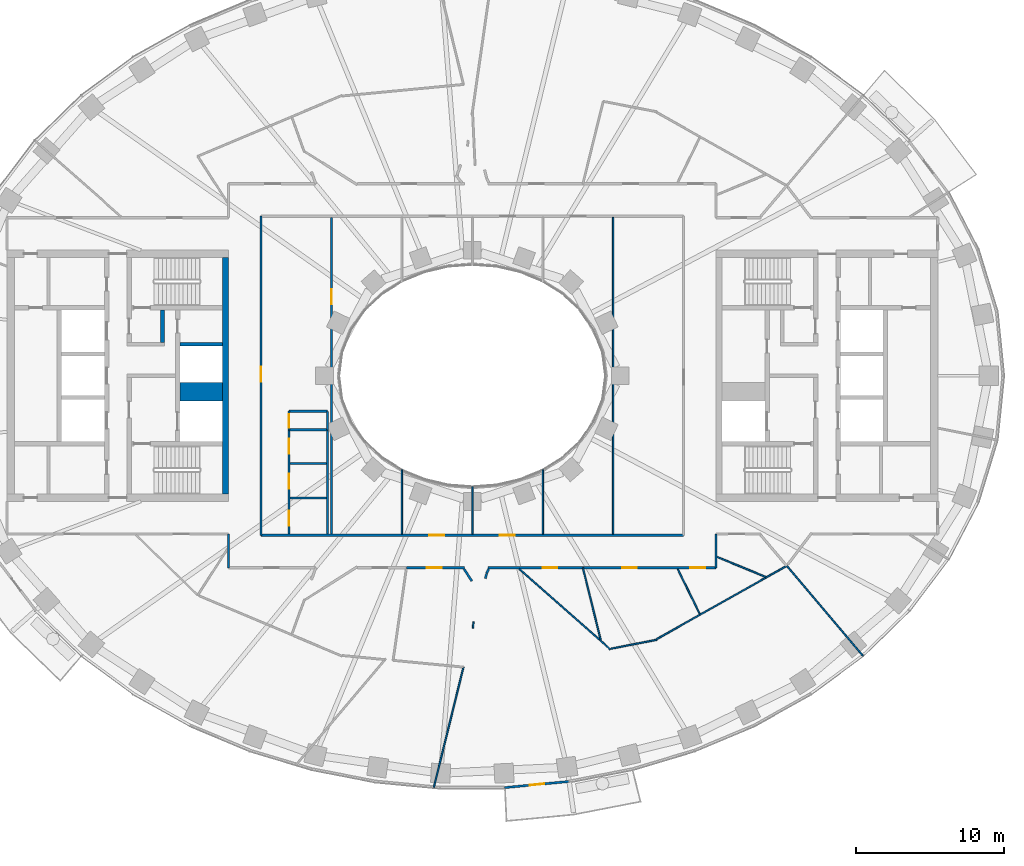
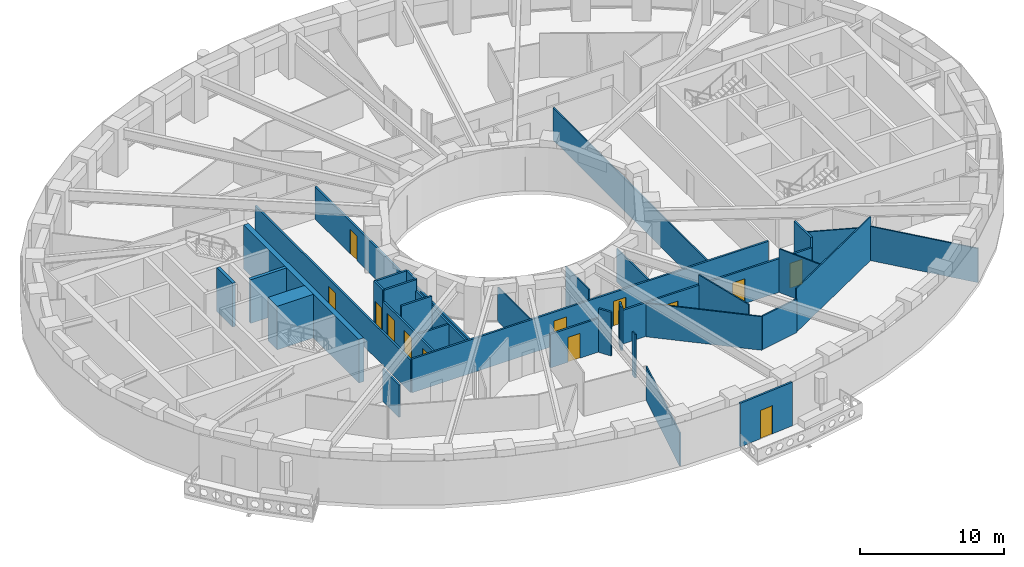
# One storey, part 4 of 16: 37 walls, 13 doors, 13 openings.
"""IFC4 building model written with IfcOpenShell, lengths in metres."""

import ifcopenshell
import ifcopenshell.guid

model = None  # the IFC model being written
_history = None  # IfcOwnerHistory: only IFC2X3 demands one
_inside = {}  # id of a spatial element -> (the spatial element, [elements in it])
_under = {}  # id of a project, library or spatial element -> (it, [spatial elements below it])
_declared = {}  # id of a project -> (the project, [libraries it declares])
_typed = {}  # id of a type object -> (the type object, [elements of that type])
_made_of = {}  # id of a material, layer set ... -> (it, [elements and type objects made of it])


def new_model(schema):
    """Start an empty IFC model of exactly this schema.

    Asked for "IFC4X3", IfcOpenShell would pick the latest addendum, in which some entities
    have other attributes; the version numbers below select the first issue.
    IFC2X3 requires an IfcOwnerHistory on every rooted entity: one is made here for all.
    """
    global model, _history
    if schema == "IFC4X3":
        model = ifcopenshell.file(schema_version=(4, 3, 0, 0))
    else:
        model = ifcopenshell.file(schema=schema)
    _inside.clear()
    _under.clear()
    _declared.clear()
    _typed.clear()
    _made_of.clear()
    _history = None
    if model.schema == "IFC2X3":
        org = make("IfcOrganization", Name="unknown")
        user = make(
            "IfcPersonAndOrganization",
            ThePerson=make("IfcPerson", FamilyName="unknown"),
            TheOrganization=org,
        )
        app = make(
            "IfcApplication",
            ApplicationDeveloper=org,
            Version="unknown",
            ApplicationFullName="unknown",
            ApplicationIdentifier="unknown",
        )
        _history = make(
            "IfcOwnerHistory",
            OwningUser=user,
            OwningApplication=app,
            ChangeAction="ADDED",
            CreationDate=0,
        )
    return model


def make(cls, **values):
    """One entity of the class cls with the attributes given. An attribute that is None is left unset."""
    return model.create_entity(
        cls, **{name: value for name, value in values.items() if value is not None}
    )


def rooted(cls, **values):
    """An entity with a GlobalId (a new one), such as an element, a storey or a relation."""
    return make(cls, GlobalId=ifcopenshell.guid.new(), OwnerHistory=_history, **values)


def si_unit(unit_type, name, prefix=None):
    """IfcSIUnit, for example si_unit("LENGTHUNIT", "METRE", prefix="MILLI")."""
    return make("IfcSIUnit", UnitType=unit_type, Prefix=prefix, Name=name)


def assignment(units):
    """IfcUnitAssignment: the units of a project."""
    return None if units is None else make("IfcUnitAssignment", Units=units)


def point(xyz):
    """IfcCartesianPoint."""
    return None if xyz is None else make("IfcCartesianPoint", Coordinates=xyz)


def direction(xyz):
    """IfcDirection."""
    return None if xyz is None else make("IfcDirection", DirectionRatios=xyz)


def frame(location, z_axis=None, x_axis=None):
    """IfcAxis2Placement3D, a coordinate frame: its origin and axes. An axis left out is left unset."""
    return make(
        "IfcAxis2Placement3D",
        Location=point(location),
        Axis=direction(z_axis),
        RefDirection=direction(x_axis),
    )


def frame_2d(location, x_axis=None):
    """IfcAxis2Placement2D, a coordinate frame in the plane: its origin and x axis."""
    return make(
        "IfcAxis2Placement2D", Location=point(location), RefDirection=direction(x_axis)
    )


def origin():
    """The frame at (0, 0, 0) with its axes left unset."""
    return frame((0.0, 0.0, 0.0))


def place(relative_to, where):
    """IfcLocalPlacement: puts the frame where relative to a parent placement (None: the world)."""
    return make(
        "IfcLocalPlacement", PlacementRelTo=relative_to, RelativePlacement=where
    )


def context(
    kind, dimensions, precision=None, world=None, true_north=None, identifier=None
):
    """IfcGeometricRepresentationContext, for example the 3D "Model" context."""
    return make(
        "IfcGeometricRepresentationContext",
        ContextIdentifier=identifier,
        ContextType=kind,
        CoordinateSpaceDimension=dimensions,
        Precision=precision,
        WorldCoordinateSystem=world,
        TrueNorth=true_north,
    )


def subcontext(parent, identifier, kind, view, scale=None):
    """IfcGeometricRepresentationSubContext, for example "Body" below "Model"."""
    return make(
        "IfcGeometricRepresentationSubContext",
        ContextIdentifier=identifier,
        ContextType=kind,
        ParentContext=parent,
        TargetScale=scale,
        TargetView=view,
    )


def project(units=None, contexts=None):
    """IfcProject with its units and contexts."""
    return rooted(
        "IfcProject",
        Name="project",
        RepresentationContexts=contexts,
        UnitsInContext=assignment(units),
    )


def spatial(cls, under=None, at=None, **own):
    """A site, building, storey or space (cls), placed at a placement, below another one or the project."""
    s = rooted(cls, ObjectPlacement=at, **own)
    if under is not None:
        _under.setdefault(under.id(), (under, []))[1].append(s)
    return s


def profile(cls, at=None, kind="AREA", **sizes):
    """A parametric profile (cls). Its sizes go by their IFC names, for example OverallWidth=200.0."""
    return make(cls, ProfileType=kind, Position=at, **sizes)


def rectangle(**sizes):
    """IfcRectangleProfileDef."""
    return profile("IfcRectangleProfileDef", **sizes)


def extrude(swept, where, along, depth):
    """IfcExtrudedAreaSolid: the profile swept, set in the frame where, extruded along a direction by depth."""
    return make(
        "IfcExtrudedAreaSolid",
        SweptArea=swept,
        Position=where,
        ExtrudedDirection=direction(along),
        Depth=depth,
    )


def shape(context_of_items, identifier, shape_type, items):
    """IfcShapeRepresentation: the items that make up one representation, for example the "Body"."""
    return make(
        "IfcShapeRepresentation",
        ContextOfItems=context_of_items,
        RepresentationIdentifier=identifier,
        RepresentationType=shape_type,
        Items=items,
    )


def material(Name=None, Category=None):
    """IfcMaterial."""
    return make("IfcMaterial", Name=Name, Category=Category)


def layer(
    of_material, thickness, ventilated=None, Name=None, Category=None, Priority=None
):
    """IfcMaterialLayer: one layer of a wall or slab, of a material (None: an air gap)."""
    return make(
        "IfcMaterialLayer",
        Material=of_material,
        LayerThickness=thickness,
        IsVentilated=ventilated,
        Name=Name,
        Category=Category,
        Priority=Priority,
    )


def layer_set(layers, Name=None):
    """IfcMaterialLayerSet."""
    return make("IfcMaterialLayerSet", MaterialLayers=layers, LayerSetName=Name)


def made_of(thing, what):
    """Note that an element or type object is made of a material, layer set ...; save() writes the relation."""
    if what is not None:
        _made_of.setdefault(what.id(), (what, []))[1].append(thing)
    return thing


def type_object(cls, material=None, **own):
    """A type object (cls), such as IfcWallType, which elements share."""
    return made_of(rooted(cls, **own), material)


def element(
    cls,
    number,
    at=None,
    inside=None,
    cuts=None,
    type_object=None,
    material=None,
    context=None,
    identifier="Body",
    shape_type=None,
    held_by="IfcProductDefinitionShape",
    body=None,
    shapes=None,
    **own,
):
    """One element of the class cls, such as IfcWall. Its Tag is "e" and its number.

    at: its placement. inside: the storey or other place that contains it. cuts: it is an
    opening in that element (IfcRelVoidsElement). A single representation is given by context,
    identifier, shape_type and body (its items); several are given by shapes. held_by: the class
    of the entity that holds the representations. save() writes the other relations.
    """
    e = rooted(cls, Tag="e%d" % number, ObjectPlacement=at, **own)
    if body is not None:
        shapes = [shape(context, identifier, shape_type, body)]
    if shapes is not None:
        e.Representation = make(held_by, Representations=shapes)
    if inside is not None:
        _inside.setdefault(inside.id(), (inside, []))[1].append(e)
    if cuts is not None:
        rooted(
            "IfcRelVoidsElement", RelatingBuildingElement=cuts, RelatedOpeningElement=e
        )
    if type_object is not None:
        _typed.setdefault(type_object.id(), (type_object, []))[1].append(e)
    return made_of(e, material)


def fill(opening, filler):
    """IfcRelFillsElement: the door or window that sits in an opening."""
    return rooted(
        "IfcRelFillsElement",
        RelatingOpeningElement=opening,
        RelatedBuildingElement=filler,
    )


def aggregate(whole, parts):
    """IfcRelAggregates: a whole, such as a stair, and the parts it consists of."""
    return rooted("IfcRelAggregates", RelatingObject=whole, RelatedObjects=parts)


def save(model, path):
    """Write the relations noted so far, then the file.

    IfcRelAggregates (storeys below a building ...), IfcRelContainedInSpatialStructure (elements
    in a storey), IfcRelDefinesByType, IfcRelAssociatesMaterial and IfcRelDeclares: one each for
    every whole, place, type object, material and project.
    """
    for whole, parts in _under.values():
        aggregate(whole, parts)
    for where, things in _inside.values():
        rooted(
            "IfcRelContainedInSpatialStructure",
            RelatedElements=things,
            RelatingStructure=where,
        )
    for kind, things in _typed.values():
        rooted("IfcRelDefinesByType", RelatedObjects=things, RelatingType=kind)
    for what, things in _made_of.values():
        rooted("IfcRelAssociatesMaterial", RelatedObjects=things, RelatingMaterial=what)
    for by, libraries in _declared.values():
        rooted("IfcRelDeclares", RelatingContext=by, RelatedDefinitions=libraries)
    model.write(path)


model = new_model("IFC4")

# Units and contexts
model_context = context("Model", 3, precision=1e-05, world=origin(), true_north=direction((0.0, 1.0)))
body_context = subcontext(model_context, "Body", "Model", "MODEL_VIEW")
ifc_project = project(units=[si_unit("LENGTHUNIT", "METRE"), si_unit("AREAUNIT", "SQUARE_METRE"), si_unit("VOLUMEUNIT", "CUBIC_METRE"), si_unit("PLANEANGLEUNIT", "RADIAN"), si_unit("MASSUNIT", "GRAM", prefix="KILO")], contexts=[model_context])

# Site, building, storey
site_placement = place(None, origin())
site = spatial("IfcSite", under=ifc_project, at=site_placement, CompositionType="ELEMENT")
building_placement = place(site_placement, origin())
building = spatial("IfcBuilding", under=site, at=building_placement, Name="Noorbagh Ring Tower", CompositionType="ELEMENT")
storey_placement = place(building_placement, frame((0.0, 0.0, 96.0)))
storey = spatial("IfcBuildingStorey", under=building, at=storey_placement, Name="L21", CompositionType="ELEMENT", Elevation=96.0)

# Wall, opening, door
ifc_material_1 = material(Name="Gypsum board on steel studs", Category="steel")
ifc_layer_1 = layer(ifc_material_1, 0.14990234375)
ifc_layer_set_1 = layer_set([ifc_layer_1], Name="Gypsum board on steel studs")
wall_type_1 = type_object("IfcWallType", Name="COMPARTMENT PARTITION 150 EI 60", PredefinedType="PARTITIONING", material=ifc_layer_set_1)
wall_1_placement = place(storey_placement, frame((-12.39990234375, -3.659912109375, 0.0), z_axis=(0.0, 0.0, 1.0), x_axis=(0.0, 1.0, 0.0)))
wall_1 = element("IfcWall", 1, at=wall_1_placement, inside=storey, type_object=wall_type_1, Name="L21/wall/P22", PredefinedType="PARTITIONING", context=body_context, shape_type="SweptSolid", body=[
    extrude(rectangle(XDim=1.260009765625, YDim=0.14990234375, at=frame_2d((0.6298828125, 0.0))), origin(), (0.0, 0.0, 1.0), 3.699951171875),
])
opening_1_placement = place(wall_1_placement, frame((0.14990234375, 0.0, 0.0)))
opening_1 = element("IfcOpeningElement", 2, at=opening_1_placement, cuts=wall_1, Name="Opening D4", PredefinedType="OPENING", context=body_context, shape_type="SweptSolid", body=[
    extrude(rectangle(XDim=0.89990234375, YDim=2.10009765625, at=frame_2d((0.449951171875, 1.050048828125))), frame((0.0, 0.0849609375, 0.0), z_axis=(0.0, -1.0, 0.0), x_axis=(1.0, 0.0, 0.0)), (0.0, 0.0, 1.0), 0.169921875),
])
ifc_material_2 = material(Name="Timber, painted", Category="wood")
door_type_1 = type_object("IfcDoorType", Name="DOOR 900 X 2100 FD60", OperationType="SINGLE_SWING_LEFT", PredefinedType="DOOR", material=ifc_material_2)
door_1_placement = place(opening_1_placement, origin())
door_1 = element("IfcDoor", 3, at=door_1_placement, inside=storey, type_object=door_type_1, Name="L21-D05", OperationType="SINGLE_SWING_LEFT", OverallHeight=2.10009765625, OverallWidth=0.89990234375, PredefinedType="DOOR", context=body_context, shape_type="SweptSolid", body=[
    extrude(rectangle(XDim=0.89990234375, YDim=2.10009765625, at=frame_2d((0.449951171875, 1.050048828125))), frame((0.0, 0.02490234375, 0.0), z_axis=(0.0, -1.0, 0.0), x_axis=(1.0, 0.0, 0.0)), (0.0, 0.0, 1.0), 0.050048828125),
])
fill(opening_1, door_1)

# Walls
wall_2_placement = place(storey_placement, frame((-12.39990234375, -3.659912109375, 0.0), z_axis=(0.0, 0.0, 1.0), x_axis=(1.0, 0.0, 0.0)))
element("IfcWall", 4, at=wall_2_placement, inside=storey, type_object=wall_type_1, Name="L21/wall/P23", PredefinedType="PARTITIONING", context=body_context, shape_type="SweptSolid", body=[
    extrude(rectangle(XDim=2.599853515625, YDim=0.14990234375, at=frame_2d((1.2998046875, 0.0))), origin(), (0.0, 0.0, 1.0), 3.699951171875),
])
wall_3_placement = place(storey_placement, frame((-12.39990234375, -2.39990234375, 0.0), z_axis=(0.0, 0.0, 1.0), x_axis=(1.0, 0.0, 0.0)))
element("IfcWall", 5, at=wall_3_placement, inside=storey, type_object=wall_type_1, Name="L21/wall/P24", PredefinedType="PARTITIONING", context=body_context, shape_type="SweptSolid", body=[
    extrude(rectangle(XDim=2.595947265625, YDim=0.14990234375, at=frame_2d((1.2978515625, 0.0))), origin(), (0.0, 0.0, 1.0), 3.699951171875),
])
wall_4_placement = place(storey_placement, frame((-9.800048828125, -3.659912109375, 0.0), z_axis=(0.0, 0.0, 1.0), x_axis=(0.0, 1.0, 0.0)))
element("IfcWall", 6, at=wall_4_placement, inside=storey, type_object=wall_type_1, Name="L21/wall/P35", PredefinedType="PARTITIONING", context=body_context, shape_type="SweptSolid", body=[
    extrude(rectangle(XDim=1.255859375, YDim=0.14990234375, at=frame_2d((0.6279296875, 0.0))), origin(), (0.0, 0.0, 1.0), 3.699951171875),
])
ifc_material_3 = material(Name="Concrete C70/85", Category="concrete")
ifc_layer_2 = layer(ifc_material_3, 1.25)
ifc_layer_set_2 = layer_set([ifc_layer_2], Name="Concrete C70/85")
wall_type_2 = type_object("IfcWallType", Name="CORE-WALL-1250-C70-85-EI120", PredefinedType="SHEAR", material=ifc_layer_set_2)
wall_5_placement = place(storey_placement, frame((-16.89990234375, -1.074951171875, 0.0), z_axis=(0.0, 0.0, 1.0), x_axis=(-1.0, 0.0, 0.0)))
element("IfcWall", 7, at=wall_5_placement, inside=storey, type_object=wall_type_2, Name="Core wall W", PredefinedType="SHEAR", context=body_context, shape_type="SweptSolid", body=[
    extrude(rectangle(XDim=2.900146484375, YDim=1.25, at=frame_2d((1.4501953125, 0.0))), origin(), (0.0, 0.0, 1.0), 3.699951171875),
])
ifc_material_4 = material(Name="Concrete C70/85", Category="concrete")
ifc_layer_3 = layer(ifc_material_4, 0.25)
ifc_layer_set_3 = layer_set([ifc_layer_3], Name="Concrete C70/85")
wall_type_3 = type_object("IfcWallType", Name="CORE-WALL-250-C70-85-EI120", PredefinedType="SHEAR", material=ifc_layer_set_3)
wall_6_placement = place(storey_placement, frame((-16.89990234375, 2.125, 0.0), z_axis=(0.0, 0.0, 1.0), x_axis=(-1.0, 0.0, 0.0)))
element("IfcWall", 8, at=wall_6_placement, inside=storey, type_object=wall_type_3, Name="Core wall W", PredefinedType="SHEAR", context=body_context, shape_type="SweptSolid", body=[
    extrude(rectangle(XDim=2.900146484375, YDim=0.25, at=frame_2d((1.4501953125, 0.0))), origin(), (0.0, 0.0, 1.0), 3.699951171875),
])
ifc_material_5 = material(Name="Concrete C70/85", Category="concrete")
ifc_layer_4 = layer(ifc_material_5, 0.25)
ifc_layer_set_4 = layer_set([ifc_layer_4], Name="Concrete C70/85")
wall_type_4 = type_object("IfcWallType", Name="CORE-WALL-250-C70-85-EI240", PredefinedType="SHEAR", material=ifc_layer_set_4)
wall_7_placement = place(storey_placement, frame((-20.97509765625, 2.25, 0.0), z_axis=(0.0, 0.0, 1.0), x_axis=(0.0, 1.0, 0.0)))
element("IfcWall", 9, at=wall_7_placement, inside=storey, type_object=wall_type_4, Name="Core wall W", PredefinedType="SHEAR", context=body_context, shape_type="SweptSolid", body=[
    extrude(rectangle(XDim=2.199951171875, YDim=0.25, at=frame_2d((1.10009765625, 0.0))), origin(), (0.0, 0.0, 1.0), 3.699951171875),
])
ifc_material_6 = material(Name="Concrete C70/85", Category="concrete")
ifc_layer_5 = layer(ifc_material_6, 0.39990234375)
ifc_layer_set_5 = layer_set([ifc_layer_5], Name="Concrete C70/85")
wall_type_5 = type_object("IfcWallType", Name="CORE-WALL-400-C70-85-EI240", PredefinedType="SHEAR", material=ifc_layer_set_5)
wall_8_placement = place(storey_placement, frame((-16.699951171875, -8.0, 0.0), z_axis=(0.0, 0.0, 1.0), x_axis=(0.0, 1.0, 0.0)))
element("IfcWall", 10, at=wall_8_placement, inside=storey, type_object=wall_type_5, Name="Core wall W", PredefinedType="SHEAR", context=body_context, shape_type="SweptSolid", body=[
    extrude(rectangle(XDim=16.0, YDim=0.39990234375, at=frame_2d((8.0, 0.0))), origin(), (0.0, 0.0, 1.0), 3.699951171875),
])
ifc_material_7 = material(Name="Gypsum board on steel studs", Category="steel")
ifc_layer_6 = layer(ifc_material_7, 0.14990234375)
ifc_layer_set_6 = layer_set([ifc_layer_6], Name="Gypsum board on steel studs")
wall_type_6 = type_object("IfcWallType", Name="CORRIDOR PARTITION 150 EI 30", PredefinedType="PARTITIONING", material=ifc_layer_set_6)
wall_9_placement = place(storey_placement, frame((-16.5, -13.0, 0.0), z_axis=(0.0, 0.0, 1.0), x_axis=(0.0, 1.0, 0.0)))
element("IfcWall", 11, at=wall_9_placement, inside=storey, type_object=wall_type_6, Name="L21/wall/P12", PredefinedType="PARTITIONING", context=body_context, shape_type="SweptSolid", body=[
    extrude(rectangle(XDim=2.300048828125, YDim=0.14990234375, at=frame_2d((1.14990234375, 0.0))), origin(), (0.0, 0.0, 1.0), 2.75),
])

# Wall, opening, door
wall_10_placement = place(storey_placement, frame((-14.300048828125, -10.800048828125, 0.0), z_axis=(0.0, 0.0, 1.0), x_axis=(0.0, 1.0, 0.0)))
wall_10 = element("IfcWall", 12, at=wall_10_placement, inside=storey, type_object=wall_type_6, Name="L21/wall/P16", PredefinedType="PARTITIONING", context=body_context, shape_type="SweptSolid", body=[
    extrude(rectangle(XDim=21.60009765625, YDim=0.14990234375, at=frame_2d((10.800048828125, 0.0))), origin(), (0.0, 0.0, 1.0), 2.75),
])
opening_2_placement = place(wall_10_placement, frame((10.39990234375, 0.0, 0.0)))
opening_2 = element("IfcOpeningElement", 13, at=opening_2_placement, cuts=wall_10, Name="Opening D1", PredefinedType="OPENING", context=body_context, shape_type="SweptSolid", body=[
    extrude(rectangle(XDim=1.0, YDim=2.10009765625, at=frame_2d((0.5, 1.050048828125))), frame((0.0, 0.0849609375, 0.0), z_axis=(0.0, -1.0, 0.0), x_axis=(1.0, 0.0, 0.0)), (0.0, 0.0, 1.0), 0.169921875),
])
ifc_material_8 = material(Name="Timber, painted", Category="wood")
door_type_2 = type_object("IfcDoorType", Name="DOOR 1000 X 2100 FD30", OperationType="SINGLE_SWING_LEFT", PredefinedType="DOOR", material=ifc_material_8)
door_2_placement = place(opening_2_placement, origin())
door_2 = element("IfcDoor", 14, at=door_2_placement, inside=storey, type_object=door_type_2, Name="L21-D01", OperationType="SINGLE_SWING_LEFT", OverallHeight=2.10009765625, OverallWidth=1.0, PredefinedType="DOOR", context=body_context, shape_type="SweptSolid", body=[
    extrude(rectangle(XDim=1.0, YDim=2.10009765625, at=frame_2d((0.5, 1.050048828125))), frame((0.0, 0.02490234375, 0.0), z_axis=(0.0, -1.0, 0.0), x_axis=(1.0, 0.0, 0.0)), (0.0, 0.0, 1.0), 0.050048828125),
])
fill(opening_2, door_2)

# Wall, openings, doors
wall_11_placement = place(storey_placement, frame((-14.300048828125, -10.800048828125, 0.0), z_axis=(0.0, 0.0, 1.0), x_axis=(1.0, 0.0, 0.0)))
wall_11 = element("IfcWall", 15, at=wall_11_placement, inside=storey, type_object=wall_type_6, Name="L21/wall/P17", PredefinedType="PARTITIONING", context=body_context, shape_type="SweptSolid", body=[
    extrude(rectangle(XDim=28.60009765625, YDim=0.14990234375, at=frame_2d((14.300048828125, 0.0))), origin(), (0.0, 0.0, 1.0), 2.85009765625),
])
opening_3_placement = place(wall_11_placement, frame((11.39990234375, 0.0, 0.0)))
opening_3 = element("IfcOpeningElement", 16, at=opening_3_placement, cuts=wall_11, Name="Opening D1", PredefinedType="OPENING", context=body_context, shape_type="SweptSolid", body=[
    extrude(rectangle(XDim=1.0, YDim=2.10009765625, at=frame_2d((0.5, 1.050048828125))), frame((0.0, 0.0849609375, 0.0), z_axis=(0.0, -1.0, 0.0), x_axis=(1.0, 0.0, 0.0)), (0.0, 0.0, 1.0), 0.169921875),
])
opening_4_placement = place(wall_11_placement, frame((16.1669921875, 0.0, 0.0)))
opening_4 = element("IfcOpeningElement", 17, at=opening_4_placement, cuts=wall_11, Name="Opening D1", PredefinedType="OPENING", context=body_context, shape_type="SweptSolid", body=[
    extrude(rectangle(XDim=1.0, YDim=2.10009765625, at=frame_2d((0.5, 1.050048828125))), frame((0.0, 0.0849609375, 0.0), z_axis=(0.0, -1.0, 0.0), x_axis=(1.0, 0.0, 0.0)), (0.0, 0.0, 1.0), 0.169921875),
])
door_3_placement = place(opening_3_placement, origin())
door_3 = element("IfcDoor", 18, at=door_3_placement, inside=storey, type_object=door_type_2, Name="L21-D28", OperationType="SINGLE_SWING_RIGHT", OverallHeight=2.10009765625, OverallWidth=1.0, PredefinedType="DOOR", context=body_context, shape_type="SweptSolid", body=[
    extrude(rectangle(XDim=1.0, YDim=2.10009765625, at=frame_2d((0.5, 1.050048828125))), frame((0.0, 0.02490234375, 0.0), z_axis=(0.0, -1.0, 0.0), x_axis=(1.0, 0.0, 0.0)), (0.0, 0.0, 1.0), 0.050048828125),
])
fill(opening_3, door_3)
door_4_placement = place(opening_4_placement, origin())
door_4 = element("IfcDoor", 19, at=door_4_placement, inside=storey, type_object=door_type_2, Name="L21-D30", OperationType="SINGLE_SWING_RIGHT", OverallHeight=2.10009765625, OverallWidth=1.0, PredefinedType="DOOR", context=body_context, shape_type="SweptSolid", body=[
    extrude(rectangle(XDim=1.0, YDim=2.10009765625, at=frame_2d((0.5, 1.050048828125))), frame((0.0, 0.02490234375, 0.0), z_axis=(0.0, -1.0, 0.0), x_axis=(1.0, 0.0, 0.0)), (0.0, 0.0, 1.0), 0.050048828125),
])
fill(opening_4, door_4)

wall_12_placement = place(storey_placement, frame((-12.39990234375, -10.72509765625, 0.0), z_axis=(0.0, 0.0, 1.0), x_axis=(0.0, 1.0, 0.0)))
wall_12 = element("IfcWall", 20, at=wall_12_placement, inside=storey, type_object=wall_type_6, Name="L21/wall/P19", PredefinedType="PARTITIONING", context=body_context, shape_type="SweptSolid", body=[
    extrude(rectangle(XDim=7.065185546875, YDim=0.14990234375, at=frame_2d((3.53271484375, 0.0))), origin(), (0.0, 0.0, 1.0), 2.75),
])
opening_5_placement = place(wall_12_placement, frame((0.574951171875, 0.0, 0.0)))
opening_5 = element("IfcOpeningElement", 21, at=opening_5_placement, cuts=wall_12, Name="Opening D3", PredefinedType="OPENING", context=body_context, shape_type="SweptSolid", body=[
    extrude(rectangle(XDim=1.0, YDim=2.10009765625, at=frame_2d((0.5, 1.050048828125))), frame((0.0, 0.0849609375, 0.0), z_axis=(0.0, -1.0, 0.0), x_axis=(1.0, 0.0, 0.0)), (0.0, 0.0, 1.0), 0.169921875),
])
opening_6_placement = place(wall_12_placement, frame((3.094970703125, 0.0, 0.0)))
opening_6 = element("IfcOpeningElement", 22, at=opening_6_placement, cuts=wall_12, Name="Opening D3", PredefinedType="OPENING", context=body_context, shape_type="SweptSolid", body=[
    extrude(rectangle(XDim=1.0, YDim=2.10009765625, at=frame_2d((0.5, 1.050048828125))), frame((0.0, 0.0849609375, 0.0), z_axis=(0.0, -1.0, 0.0), x_axis=(1.0, 0.0, 0.0)), (0.0, 0.0, 1.0), 0.169921875),
])
opening_7_placement = place(wall_12_placement, frame((5.447021484375, 0.0, 0.0)))
opening_7 = element("IfcOpeningElement", 23, at=opening_7_placement, cuts=wall_12, Name="Opening D3", PredefinedType="OPENING", context=body_context, shape_type="SweptSolid", body=[
    extrude(rectangle(XDim=1.0, YDim=2.10009765625, at=frame_2d((0.5, 1.050048828125))), frame((0.0, 0.0849609375, 0.0), z_axis=(0.0, -1.0, 0.0), x_axis=(1.0, 0.0, 0.0)), (0.0, 0.0, 1.0), 0.169921875),
])
ifc_material_9 = material(Name="Timber, painted", Category="wood")
door_type_3 = type_object("IfcDoorType", Name="DOOR 1000 X 2100 WC", OperationType="SINGLE_SWING_LEFT", PredefinedType="DOOR", material=ifc_material_9)
door_5_placement = place(opening_5_placement, origin())
door_5 = element("IfcDoor", 24, at=door_5_placement, inside=storey, type_object=door_type_3, Name="L21-D02", OperationType="SINGLE_SWING_RIGHT", OverallHeight=2.10009765625, OverallWidth=1.0, PredefinedType="DOOR", context=body_context, shape_type="SweptSolid", body=[
    extrude(rectangle(XDim=1.0, YDim=2.10009765625, at=frame_2d((0.5, 1.050048828125))), frame((0.0, 0.02490234375, 0.0), z_axis=(0.0, -1.0, 0.0), x_axis=(1.0, 0.0, 0.0)), (0.0, 0.0, 1.0), 0.050048828125),
])
fill(opening_5, door_5)
door_6_placement = place(opening_6_placement, origin())
door_6 = element("IfcDoor", 25, at=door_6_placement, inside=storey, type_object=door_type_3, Name="L21-D03", OperationType="SINGLE_SWING_LEFT", OverallHeight=2.10009765625, OverallWidth=1.0, PredefinedType="DOOR", context=body_context, shape_type="SweptSolid", body=[
    extrude(rectangle(XDim=1.0, YDim=2.10009765625, at=frame_2d((0.5, 1.050048828125))), frame((0.0, 0.02490234375, 0.0), z_axis=(0.0, -1.0, 0.0), x_axis=(1.0, 0.0, 0.0)), (0.0, 0.0, 1.0), 0.050048828125),
])
fill(opening_6, door_6)
door_7_placement = place(opening_7_placement, origin())
door_7 = element("IfcDoor", 26, at=door_7_placement, inside=storey, type_object=door_type_3, Name="L21-D04", OperationType="SINGLE_SWING_RIGHT", OverallHeight=2.10009765625, OverallWidth=1.0, PredefinedType="DOOR", context=body_context, shape_type="SweptSolid", body=[
    extrude(rectangle(XDim=1.0, YDim=2.10009765625, at=frame_2d((0.5, 1.050048828125))), frame((0.0, 0.02490234375, 0.0), z_axis=(0.0, -1.0, 0.0), x_axis=(1.0, 0.0, 0.0)), (0.0, 0.0, 1.0), 0.050048828125),
])
fill(opening_7, door_7)

# Walls
wall_13_placement = place(storey_placement, frame((-12.324951171875, -8.280029296875, 0.0), z_axis=(0.0, 0.0, 1.0), x_axis=(1.0, 0.0, 0.0)))
element("IfcWall", 27, at=wall_13_placement, inside=storey, type_object=wall_type_6, Name="L21/wall/P20", PredefinedType="PARTITIONING", context=body_context, shape_type="SweptSolid", body=[
    extrude(rectangle(XDim=2.449951171875, YDim=0.14990234375, at=frame_2d((1.22509765625, 0.0))), origin(), (0.0, 0.0, 1.0), 2.75),
])
wall_14_placement = place(storey_placement, frame((-12.324951171875, -5.927978515625, 0.0), z_axis=(0.0, 0.0, 1.0), x_axis=(1.0, 0.0, 0.0)))
element("IfcWall", 28, at=wall_14_placement, inside=storey, type_object=wall_type_6, Name="L21/wall/P21", PredefinedType="PARTITIONING", context=body_context, shape_type="SweptSolid", body=[
    extrude(rectangle(XDim=2.449951171875, YDim=0.14990234375, at=frame_2d((1.22509765625, 0.0))), origin(), (0.0, 0.0, 1.0), 3.699951171875),
])
wall_15_placement = place(storey_placement, frame((-9.800048828125, -10.72509765625, 0.0), z_axis=(0.0, 0.0, 1.0), x_axis=(0.0, 1.0, 0.0)))
element("IfcWall", 29, at=wall_15_placement, inside=storey, type_object=wall_type_6, Name="L21/wall/P34", PredefinedType="PARTITIONING", context=body_context, shape_type="SweptSolid", body=[
    extrude(rectangle(XDim=7.065185546875, YDim=0.14990234375, at=frame_2d((3.53271484375, 0.0))), origin(), (0.0, 0.0, 1.0), 2.75),
])

# Wall, opening, door
wall_16_placement = place(storey_placement, frame((-9.532958984375, -10.72509765625, 0.0), z_axis=(0.0, 0.0, 1.0), x_axis=(0.0, 1.0, 0.0)))
wall_16 = element("IfcWall", 30, at=wall_16_placement, inside=storey, type_object=wall_type_6, Name="L21/wall/P36", PredefinedType="PARTITIONING", context=body_context, shape_type="SweptSolid", body=[
    extrude(rectangle(XDim=21.4501953125, YDim=0.14990234375, at=frame_2d((10.72509765625, 0.0))), origin(), (0.0, 0.0, 1.0), 2.75),
])
opening_8_placement = place(wall_16_placement, frame((15.574951171875, 0.0, 0.0)))
opening_8 = element("IfcOpeningElement", 31, at=opening_8_placement, cuts=wall_16, Name="Opening D1", PredefinedType="OPENING", context=body_context, shape_type="SweptSolid", body=[
    extrude(rectangle(XDim=1.0, YDim=2.10009765625, at=frame_2d((0.5, 1.050048828125))), frame((0.0, 0.0849609375, 0.0), z_axis=(0.0, -1.0, 0.0), x_axis=(1.0, 0.0, 0.0)), (0.0, 0.0, 1.0), 0.169921875),
])
door_8_placement = place(opening_8_placement, origin())
door_8 = element("IfcDoor", 32, at=door_8_placement, inside=storey, type_object=door_type_2, Name="L21-D27", OperationType="SINGLE_SWING_RIGHT", OverallHeight=2.10009765625, OverallWidth=1.0, PredefinedType="DOOR", context=body_context, shape_type="SweptSolid", body=[
    extrude(rectangle(XDim=1.0, YDim=2.10009765625, at=frame_2d((0.5, 1.050048828125))), frame((0.0, 0.02490234375, 0.0), z_axis=(0.0, -1.0, 0.0), x_axis=(1.0, 0.0, 0.0)), (0.0, 0.0, 1.0), 0.050048828125),
])
fill(opening_8, door_8)

wall_17_placement = place(storey_placement, frame((-4.458984375, -13.0, 0.0), z_axis=(0.0, 0.0, 1.0), x_axis=(1.0, 0.0, 0.0)))
wall_17 = element("IfcWall", 33, at=wall_17_placement, inside=storey, type_object=wall_type_6, Name="L21/wall/P45", PredefinedType="PARTITIONING", context=body_context, shape_type="SweptSolid", body=[
    extrude(rectangle(XDim=3.93603515625, YDim=0.14990234375, at=frame_2d((1.968017578125, 0.0))), origin(), (0.0, 0.0, 1.0), 2.85009765625),
])
opening_9_placement = place(wall_17_placement, frame((1.3798828125, 0.0, 0.0)))
opening_9 = element("IfcOpeningElement", 34, at=opening_9_placement, cuts=wall_17, Name="Opening D1", PredefinedType="OPENING", context=body_context, shape_type="SweptSolid", body=[
    extrude(rectangle(XDim=1.0, YDim=2.10009765625, at=frame_2d((0.5, 1.050048828125))), frame((0.0, 0.0849609375, 0.0), z_axis=(0.0, -1.0, 0.0), x_axis=(1.0, 0.0, 0.0)), (0.0, 0.0, 1.0), 0.169921875),
])
door_9_placement = place(opening_9_placement, origin())
door_9 = element("IfcDoor", 35, at=door_9_placement, inside=storey, type_object=door_type_2, Name="L21-D14", OperationType="SINGLE_SWING_RIGHT", OverallHeight=2.10009765625, OverallWidth=1.0, PredefinedType="DOOR", context=body_context, shape_type="SweptSolid", body=[
    extrude(rectangle(XDim=1.0, YDim=2.10009765625, at=frame_2d((0.5, 1.050048828125))), frame((0.0, 0.02490234375, 0.0), z_axis=(0.0, -1.0, 0.0), x_axis=(1.0, 0.0, 0.0)), (0.0, 0.0, 1.0), 0.050048828125),
])
fill(opening_9, door_9)

# Walls
wall_18_placement = place(storey_placement, frame((-0.56396484375, -13.074951171875, 0.0), z_axis=(0.0, 0.0, 1.0), x_axis=(0.542858683931, -0.839824058527, 0.0)))
element("IfcWall", 36, at=wall_18_placement, inside=storey, type_object=wall_type_6, Name="L21/wall/P50", PredefinedType="PARTITIONING", context=body_context, shape_type="SweptSolid", body=[
    extrude(rectangle(XDim=0.97998046875, YDim=0.14990234375, at=frame_2d((0.489990234375, 0.0))), origin(), (0.0, 0.0, 1.0), 3.699951171875),
])
wall_19_placement = place(storey_placement, frame((0.881103515625, -13.72705078125, 0.0), z_axis=(0.0, 0.0, 1.0), x_axis=(0.239099704585, 0.970995021237, 0.0)))
element("IfcWall", 37, at=wall_19_placement, inside=storey, type_object=wall_type_6, Name="L21/wall/P58", PredefinedType="PARTITIONING", context=body_context, shape_type="SweptSolid", body=[
    extrude(rectangle(XDim=0.351318359375, YDim=0.14990234375, at=frame_2d((0.17578125, 0.0))), origin(), (0.0, 0.0, 1.0), 3.699951171875),
])
wall_20_placement = place(storey_placement, frame((0.968994140625, -13.368896484375, 0.0), z_axis=(0.0, 0.0, 1.0), x_axis=(0.440240923942, 0.897879685084, 0.0)))
element("IfcWall", 38, at=wall_20_placement, inside=storey, type_object=wall_type_6, Name="L21/wall/P59", PredefinedType="PARTITIONING", context=body_context, shape_type="SweptSolid", body=[
    extrude(rectangle(XDim=0.32275390625, YDim=0.14990234375, at=frame_2d((0.161376953125, 0.0))), origin(), (0.0, 0.0, 1.0), 3.699951171875),
])

# Wall, opening, door
wall_21_placement = place(storey_placement, frame((1.06103515625, -13.0, 0.0), z_axis=(0.0, 0.0, 1.0), x_axis=(1.0, 0.0, 0.0)))
wall_21 = element("IfcWall", 39, at=wall_21_placement, inside=storey, type_object=wall_type_6, Name="L21/wall/P61", PredefinedType="PARTITIONING", context=body_context, shape_type="SweptSolid", body=[
    extrude(rectangle(XDim=6.421875, YDim=0.14990234375, at=frame_2d((3.2109375, 0.0))), origin(), (0.0, 0.0, 1.0), 2.85009765625),
])
opening_10_placement = place(wall_21_placement, frame((3.68798828125, 0.0, 0.0)))
opening_10 = element("IfcOpeningElement", 40, at=opening_10_placement, cuts=wall_21, Name="Opening D1", PredefinedType="OPENING", context=body_context, shape_type="SweptSolid", body=[
    extrude(rectangle(XDim=1.0, YDim=2.10009765625, at=frame_2d((0.5, 1.050048828125))), frame((0.0, 0.0849609375, 0.0), z_axis=(0.0, -1.0, 0.0), x_axis=(1.0, 0.0, 0.0)), (0.0, 0.0, 1.0), 0.169921875),
])
door_10_placement = place(opening_10_placement, origin())
door_10 = element("IfcDoor", 41, at=door_10_placement, inside=storey, type_object=door_type_2, Name="L21-D16", OperationType="SINGLE_SWING_RIGHT", OverallHeight=2.10009765625, OverallWidth=1.0, PredefinedType="DOOR", context=body_context, shape_type="SweptSolid", body=[
    extrude(rectangle(XDim=1.0, YDim=2.10009765625, at=frame_2d((0.5, 1.050048828125))), frame((0.0, 0.02490234375, 0.0), z_axis=(0.0, -1.0, 0.0), x_axis=(1.0, 0.0, 0.0)), (0.0, 0.0, 1.0), 0.050048828125),
])
fill(opening_10, door_10)

# Wall, openings, doors
wall_22_placement = place(storey_placement, frame((7.4990234375, -13.0, 0.0), z_axis=(0.0, 0.0, 1.0), x_axis=(1.0, 0.0, 0.0)))
wall_22 = element("IfcWall", 42, at=wall_22_placement, inside=storey, type_object=wall_type_6, Name="L21/wall/P68", PredefinedType="PARTITIONING", context=body_context, shape_type="SweptSolid", body=[
    extrude(rectangle(XDim=9.0009765625, YDim=0.14990234375, at=frame_2d((4.50048828125, 0.0))), origin(), (0.0, 0.0, 1.0), 2.85009765625),
])
opening_11_placement = place(wall_22_placement, frame((2.634033203125, 0.0, 0.0)))
opening_11 = element("IfcOpeningElement", 43, at=opening_11_placement, cuts=wall_22, Name="Opening D1", PredefinedType="OPENING", context=body_context, shape_type="SweptSolid", body=[
    extrude(rectangle(XDim=1.0, YDim=2.10009765625, at=frame_2d((0.5, 1.050048828125))), frame((0.0, 0.0849609375, 0.0), z_axis=(0.0, -1.0, 0.0), x_axis=(1.0, 0.0, 0.0)), (0.0, 0.0, 1.0), 0.169921875),
])
opening_12_placement = place(wall_22_placement, frame((7.262939453125, 0.0, 0.0)))
opening_12 = element("IfcOpeningElement", 44, at=opening_12_placement, cuts=wall_22, Name="Opening D1", PredefinedType="OPENING", context=body_context, shape_type="SweptSolid", body=[
    extrude(rectangle(XDim=1.0, YDim=2.10009765625, at=frame_2d((0.5, 1.050048828125))), frame((0.0, 0.0849609375, 0.0), z_axis=(0.0, -1.0, 0.0), x_axis=(1.0, 0.0, 0.0)), (0.0, 0.0, 1.0), 0.169921875),
])
door_11_placement = place(opening_11_placement, origin())
door_11 = element("IfcDoor", 45, at=door_11_placement, inside=storey, type_object=door_type_2, Name="L21-D17", OperationType="SINGLE_SWING_LEFT", OverallHeight=2.10009765625, OverallWidth=1.0, PredefinedType="DOOR", context=body_context, shape_type="SweptSolid", body=[
    extrude(rectangle(XDim=1.0, YDim=2.10009765625, at=frame_2d((0.5, 1.050048828125))), frame((0.0, 0.02490234375, 0.0), z_axis=(0.0, -1.0, 0.0), x_axis=(1.0, 0.0, 0.0)), (0.0, 0.0, 1.0), 0.050048828125),
])
fill(opening_11, door_11)
door_12_placement = place(opening_12_placement, origin())
door_12 = element("IfcDoor", 46, at=door_12_placement, inside=storey, type_object=door_type_2, Name="L21-D19", OperationType="SINGLE_SWING_LEFT", OverallHeight=2.10009765625, OverallWidth=1.0, PredefinedType="DOOR", context=body_context, shape_type="SweptSolid", body=[
    extrude(rectangle(XDim=1.0, YDim=2.10009765625, at=frame_2d((0.5, 1.050048828125))), frame((0.0, 0.02490234375, 0.0), z_axis=(0.0, -1.0, 0.0), x_axis=(1.0, 0.0, 0.0)), (0.0, 0.0, 1.0), 0.050048828125),
])
fill(opening_12, door_12)

# Wall
wall_23_placement = place(storey_placement, frame((16.5, -13.0, 0.0), z_axis=(0.0, 0.0, 1.0), x_axis=(0.0, 1.0, 0.0)))
element("IfcWall", 47, at=wall_23_placement, inside=storey, type_object=wall_type_6, Name="L21/wall/P78", PredefinedType="PARTITIONING", context=body_context, shape_type="SweptSolid", body=[
    extrude(rectangle(XDim=2.300048828125, YDim=0.14990234375, at=frame_2d((1.14990234375, 0.0))), origin(), (0.0, 0.0, 1.0), 3.699951171875),
])

# Wall, opening, door
ifc_material_10 = material(Name="Insulated aluminium clad panel", Category="aluminium")
ifc_layer_7 = layer(ifc_material_10, 0.14990234375)
ifc_layer_set_7 = layer_set([ifc_layer_7], Name="Insulated aluminium clad panel")
wall_type_7 = type_object("IfcWallType", Name="ENV-WALL-DOOR", PredefinedType="STANDARD", material=ifc_layer_set_7)
wall_24_placement = place(storey_placement, frame((2.166259765625, -27.875244140625, 0.0), z_axis=(0.0, 0.0, 1.0), x_axis=(0.995473879823, 0.095035543824, 0.0)))
wall_24 = element("IfcWall", 48, at=wall_24_placement, inside=storey, type_object=wall_type_7, Name="Balcony door wall chord 36", PredefinedType="STANDARD", context=body_context, shape_type="SweptSolid", body=[
    extrude(rectangle(XDim=4.42626953125, YDim=0.14990234375, at=frame_2d((2.213134765625, 0.0))), origin(), (0.0, 0.0, 1.0), 3.699951171875),
])
opening_13_placement = place(wall_24_placement, frame((1.713134765625, 0.0, 0.0)))
opening_13 = element("IfcOpeningElement", 49, at=opening_13_placement, cuts=wall_24, Name="Opening D-BL", PredefinedType="OPENING", context=body_context, shape_type="SweptSolid", body=[
    extrude(rectangle(XDim=1.0, YDim=2.39990234375, at=frame_2d((0.5, 1.199951171875))), frame((0.0, 0.0849609375, 0.0), z_axis=(0.0, -1.0, 0.0), x_axis=(1.0, 0.0, 0.0)), (0.0, 0.0, 1.0), 0.169921875),
])
ifc_material_11 = material(Name="Aluminium and glass", Category="aluminium")
door_type_4 = type_object("IfcDoorType", Name="ENV-DOOR-BALCONY", OperationType="SINGLE_SWING_LEFT", PredefinedType="DOOR", material=ifc_material_11)
door_13_placement = place(opening_13_placement, origin())
door_13 = element("IfcDoor", 50, at=door_13_placement, inside=storey, type_object=door_type_4, Name="Balcony door chord 36", OperationType="SINGLE_SWING_RIGHT", OverallHeight=2.39990234375, OverallWidth=1.0, PredefinedType="DOOR", context=body_context, shape_type="SweptSolid", body=[
    extrude(rectangle(XDim=1.0, YDim=2.39990234375, at=frame_2d((0.5, 1.199951171875))), frame((0.0, 0.02490234375, 0.0), z_axis=(0.0, -1.0, 0.0), x_axis=(1.0, 0.0, 0.0)), (0.0, 0.0, 1.0), 0.050048828125),
])
fill(opening_13, door_13)

# Walls
ifc_material_12 = material(Name="Gypsum board on steel studs", Category="steel")
ifc_layer_8 = layer(ifc_material_12, 0.10009765625)
ifc_layer_set_8 = layer_set([ifc_layer_8], Name="Gypsum board on steel studs")
wall_type_8 = type_object("IfcWallType", Name="PARTITION 100 GYPSUM", PredefinedType="PARTITIONING", material=ifc_layer_set_8)
wall_25_placement = place(storey_placement, frame((-4.76708984375, -10.72509765625, 0.0), z_axis=(0.0, 0.0, 1.0), x_axis=(0.0, 1.0, 0.0)))
element("IfcWall", 51, at=wall_25_placement, inside=storey, type_object=wall_type_8, Name="L21/wall/P43", PredefinedType="PARTITIONING", context=body_context, shape_type="SweptSolid", body=[
    extrude(rectangle(XDim=4.362060546875, YDim=0.10009765625, at=frame_2d((2.18115234375, 0.0))), origin(), (0.0, 0.0, 1.0), 2.89990234375),
])
wall_26_placement = place(storey_placement, frame((-2.60888671875, -27.85791015625, 0.0), z_axis=(0.0, 0.0, 1.0), x_axis=(0.239677840558, 0.970852477334, 0.0)))
element("IfcWall", 52, at=wall_26_placement, inside=storey, type_object=wall_type_8, Name="L21/wall/P46", PredefinedType="PARTITIONING", context=body_context, shape_type="SweptSolid", body=[
    extrude(rectangle(XDim=8.38525390625, YDim=0.10009765625, at=frame_2d((4.192626953125, 0.0))), origin(), (0.0, 0.0, 1.0), 2.85009765625),
])
wall_27_placement = place(storey_placement, frame((0.0, -10.72509765625, 0.0), z_axis=(0.0, 0.0, 1.0), x_axis=(0.0, 1.0, 0.0)))
element("IfcWall", 53, at=wall_27_placement, inside=storey, type_object=wall_type_8, Name="L21/wall/P53", PredefinedType="PARTITIONING", context=body_context, shape_type="SweptSolid", body=[
    extrude(rectangle(XDim=3.22119140625, YDim=0.10009765625, at=frame_2d((1.610595703125, 0.0))), origin(), (0.0, 0.0, 1.0), 3.699951171875),
])
wall_28_placement = place(storey_placement, frame((0.049072265625, -17.0810546875, 0.0), z_axis=(0.0, 0.0, 1.0), x_axis=(0.047263912187, 0.998882436829, 0.0)))
element("IfcWall", 54, at=wall_28_placement, inside=storey, type_object=wall_type_8, Name="L21/wall/P56", PredefinedType="PARTITIONING", context=body_context, shape_type="SweptSolid", body=[
    extrude(rectangle(XDim=0.423583984375, YDim=0.10009765625, at=frame_2d((0.2119140625, 0.0))), origin(), (0.0, 0.0, 1.0), 3.699951171875),
])
wall_29_placement = place(storey_placement, frame((3.18701171875, -13.077880859375, 0.0), z_axis=(0.0, 0.0, 1.0), x_axis=(0.748992031217, -0.662579004477, 0.0)))
element("IfcWall", 55, at=wall_29_placement, inside=storey, type_object=wall_type_8, Name="L21/wall/P63", PredefinedType="PARTITIONING", context=body_context, shape_type="SweptSolid", body=[
    extrude(rectangle(XDim=8.227294921875, YDim=0.10009765625, at=frame_2d((4.11376953125, 0.0))), origin(), (0.0, 0.0, 1.0), 2.85009765625),
])
wall_30_placement = place(storey_placement, frame((4.76708984375, -10.72509765625, 0.0), z_axis=(0.0, 0.0, 1.0), x_axis=(0.0, 1.0, 0.0)))
element("IfcWall", 56, at=wall_30_placement, inside=storey, type_object=wall_type_8, Name="L21/wall/P64", PredefinedType="PARTITIONING", context=body_context, shape_type="SweptSolid", body=[
    extrude(rectangle(XDim=4.362060546875, YDim=0.10009765625, at=frame_2d((2.18115234375, 0.0))), origin(), (0.0, 0.0, 1.0), 2.85009765625),
])
wall_31_placement = place(storey_placement, frame((7.48291015625, -13.0, 0.0), z_axis=(0.0, 0.0, 1.0), x_axis=(0.239743843509, -0.970836180568, 0.0)))
element("IfcWall", 57, at=wall_31_placement, inside=storey, type_object=wall_type_8, Name="L21/wall/P66", PredefinedType="PARTITIONING", context=body_context, shape_type="SweptSolid", body=[
    extrude(rectangle(XDim=5.0224609375, YDim=0.10009765625, at=frame_2d((2.51123046875, 0.0))), origin(), (0.0, 0.0, 1.0), 3.699951171875),
])
wall_32_placement = place(storey_placement, frame((9.364013671875, -18.47509765625, 0.0), z_axis=(0.0, 0.0, 1.0), x_axis=(0.98152602631, 0.191328669247, 0.0)))
element("IfcWall", 58, at=wall_32_placement, inside=storey, type_object=wall_type_8, Name="L21/wall/P71", PredefinedType="PARTITIONING", context=body_context, shape_type="SweptSolid", body=[
    extrude(rectangle(XDim=3.188720703125, YDim=0.10009765625, at=frame_2d((1.59423828125, 0.0))), origin(), (0.0, 0.0, 1.0), 2.85009765625),
])
wall_33_placement = place(storey_placement, frame((9.532958984375, -10.72509765625, 0.0), z_axis=(0.0, 0.0, 1.0), x_axis=(0.0, 1.0, 0.0)))
element("IfcWall", 59, at=wall_33_placement, inside=storey, type_object=wall_type_8, Name="L21/wall/P72", PredefinedType="PARTITIONING", context=body_context, shape_type="SweptSolid", body=[
    extrude(rectangle(XDim=21.4501953125, YDim=0.10009765625, at=frame_2d((10.72509765625, 0.0))), origin(), (0.0, 0.0, 1.0), 2.75),
])
wall_34_placement = place(storey_placement, frame((12.47802734375, -17.822021484375, 0.0), z_axis=(0.0, 0.0, 1.0), x_axis=(0.871366973315, 0.490631835306, 0.0)))
element("IfcWall", 60, at=wall_34_placement, inside=storey, type_object=wall_type_8, Name="L21/wall/P73", PredefinedType="PARTITIONING", context=body_context, shape_type="SweptSolid", body=[
    extrude(rectangle(XDim=10.101318359375, YDim=0.10009765625, at=frame_2d((5.05078125, 0.0))), origin(), (0.0, 0.0, 1.0), 3.699951171875),
])
wall_35_placement = place(storey_placement, frame((13.89892578125, -13.074951171875, 0.0), z_axis=(0.0, 0.0, 1.0), x_axis=(0.439170148288, -0.898403907412, 0.0)))
element("IfcWall", 61, at=wall_35_placement, inside=storey, type_object=wall_type_8, Name="L21/wall/P75", PredefinedType="PARTITIONING", context=body_context, shape_type="SweptSolid", body=[
    extrude(rectangle(XDim=3.39501953125, YDim=0.10009765625, at=frame_2d((1.697509765625, 0.0))), origin(), (0.0, 0.0, 1.0), 3.699951171875),
])
wall_36_placement = place(storey_placement, frame((16.5791015625, -12.27099609375, 0.0), z_axis=(0.0, 0.0, 1.0), x_axis=(0.925511782592, -0.378718814272, 0.0)))
element("IfcWall", 62, at=wall_36_placement, inside=storey, type_object=wall_type_8, Name="L21/wall/P82", PredefinedType="PARTITIONING", context=body_context, shape_type="SweptSolid", body=[
    extrude(rectangle(XDim=3.53857421875, YDim=0.10009765625, at=frame_2d((1.769287109375, 0.0))), origin(), (0.0, 0.0, 1.0), 3.699951171875),
])
wall_37_placement = place(storey_placement, frame((21.279052734375, -12.864990234375, 0.0), z_axis=(0.0, 0.0, 1.0), x_axis=(0.646395355102, -0.763002650652, 0.0)))
element("IfcWall", 63, at=wall_37_placement, inside=storey, type_object=wall_type_8, Name="L21/wall/P87", PredefinedType="PARTITIONING", context=body_context, shape_type="SweptSolid", body=[
    extrude(rectangle(XDim=7.968505859375, YDim=0.10009765625, at=frame_2d((3.984375, 0.0))), origin(), (0.0, 0.0, 1.0), 2.89990234375),
])

save(model, "model.ifc")
